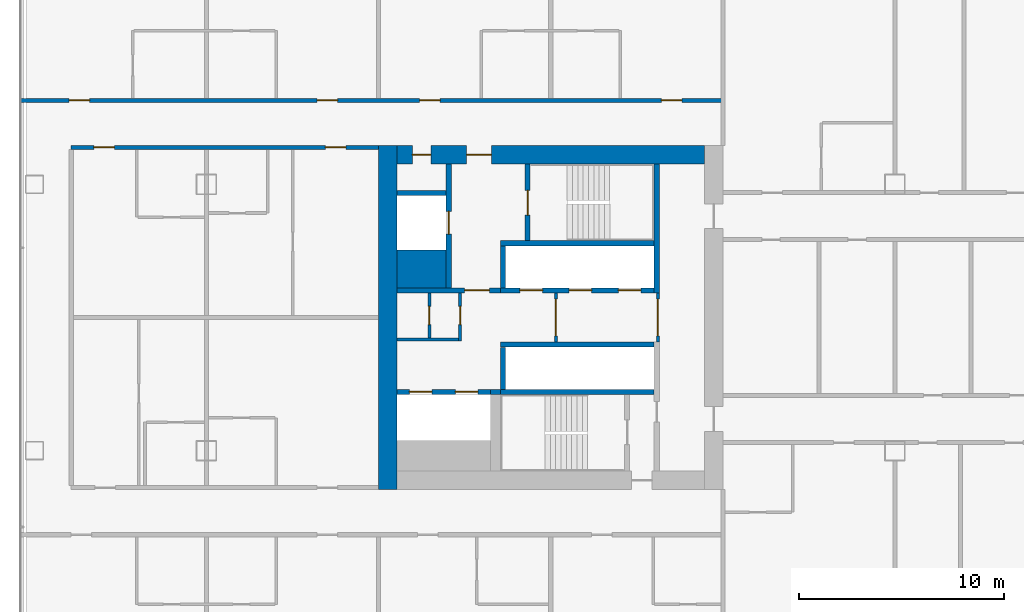
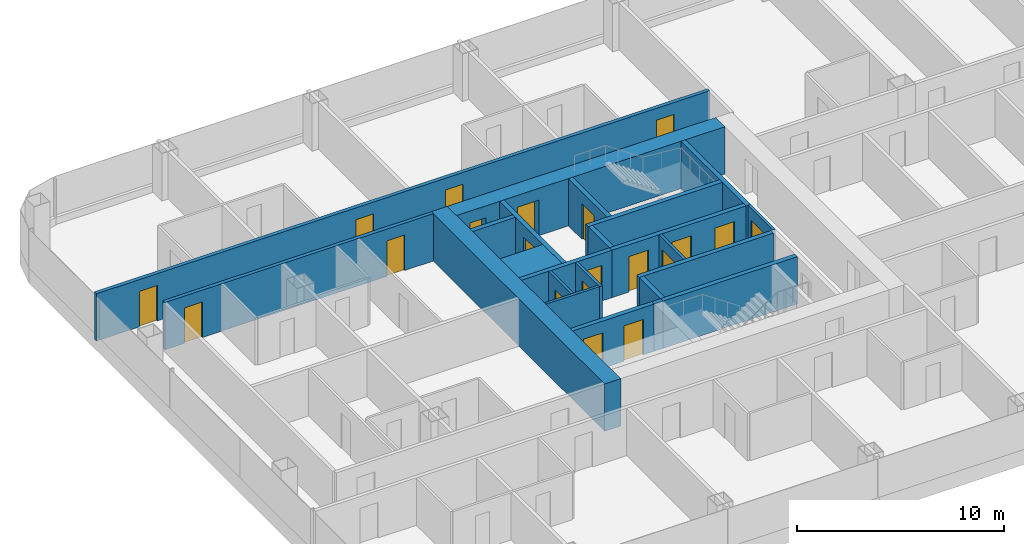
# One storey, part 14 of 28: 23 walls, 20 doors, 20 openings.
"""IFC4 building model written with IfcOpenShell, lengths in metres."""

from ifc_helpers import new_model, si_unit, direction, frame, frame_2d, origin, place, context, subcontext, project, spatial, rectangle, extrude, material, layer, layer_set, type_object, element, fill, save


model = new_model("IFC4")

# Units and contexts
model_context = context("Model", 3, precision=1e-05, world=origin(), true_north=direction((0.0, 1.0)))
body_context = subcontext(model_context, "Body", "Model", "MODEL_VIEW")
ifc_project = project(units=[si_unit("LENGTHUNIT", "METRE"), si_unit("AREAUNIT", "SQUARE_METRE"), si_unit("VOLUMEUNIT", "CUBIC_METRE"), si_unit("PLANEANGLEUNIT", "RADIAN"), si_unit("MASSUNIT", "GRAM", prefix="KILO")], contexts=[model_context])

# Site, building, storey
site_placement = place(None, origin())
site = spatial("IfcSite", under=ifc_project, at=site_placement, CompositionType="ELEMENT")
building_placement = place(site_placement, origin())
building = spatial("IfcBuilding", under=site, at=building_placement, Name="Hakoniwa Tower and Hamabe Station Hall", CompositionType="ELEMENT")
storey_placement = place(building_placement, frame((0.0, 0.0, 35.800048828125)))
storey = spatial("IfcBuildingStorey", under=building, at=storey_placement, Name="L09", CompositionType="ELEMENT", Elevation=35.800048828125)

# Wall, opening, door
ifc_material_1 = material(Name="Gypsum board partition")
ifc_layer_1 = layer(ifc_material_1, 0.14990234375)
ifc_layer_set_1 = layer_set([ifc_layer_1], Name="CORE PARTITION 150 EI 60")
wall_type_1 = type_object("IfcWallType", Name="CORE PARTITION 150 EI 60", PredefinedType="PARTITIONING", material=ifc_layer_set_1)
wall_1_placement = place(storey_placement, frame((-19.97509765625, -1.199951171875, 0.0), z_axis=(0.0, 0.0, 1.0), x_axis=(0.0, 1.0, 0.0)))
wall_1 = element("IfcWall", 1, at=wall_1_placement, inside=storey, type_object=wall_type_1, Name="Core partition PL0 west", PredefinedType="PARTITIONING", context=body_context, shape_type="SweptSolid", body=[
    extrude(rectangle(XDim=2.39990234375, YDim=0.14990234375, at=frame_2d((1.199951171875, 0.0))), origin(), (0.0, 0.0, 1.0), 2.800048828125),
])
opening_1_placement = place(wall_1_placement, frame((0.300048828125, 0.0, 0.0)))
opening_1 = element("IfcOpeningElement", 2, at=opening_1_placement, cuts=wall_1, Name="Opening CD-W-LP0-18", PredefinedType="OPENING", context=body_context, shape_type="SweptSolid", body=[
    extrude(rectangle(XDim=1.800048828125, YDim=2.10009765625, at=frame_2d((0.89990234375, 1.050048828125))), frame((0.0, 0.0849609375, 0.0), z_axis=(0.0, -1.0, 0.0), x_axis=(1.0, 0.0, 0.0)), (0.0, 0.0, 1.0), 0.169921875),
])
ifc_material_2 = material(Name="Steel fire door", Category="steel")
door_type_1 = type_object("IfcDoorType", Name="CORE DOOR 1800 FD60", OperationType="DOUBLE_DOOR_SINGLE_SWING", PredefinedType="DOOR", material=ifc_material_2)
door_1_placement = place(opening_1_placement, origin())
door_1 = element("IfcDoor", 3, at=door_1_placement, inside=storey, type_object=door_type_1, Name="Lift lobby partition door", OperationType="DOUBLE_DOOR_SINGLE_SWING", OverallHeight=2.10009765625, OverallWidth=1.800048828125, PredefinedType="DOOR", context=body_context, shape_type="SweptSolid", body=[
    extrude(rectangle(XDim=1.800048828125, YDim=2.10009765625, at=frame_2d((0.89990234375, 1.050048828125))), frame((0.0, 0.02490234375, 0.0), z_axis=(0.0, -1.0, 0.0), x_axis=(1.0, 0.0, 0.0)), (0.0, 0.0, 1.0), 0.050048828125),
])
fill(opening_1, door_1)

wall_2_placement = place(storey_placement, frame((-24.949951171875, -1.199951171875, 0.0), z_axis=(0.0, 0.0, 1.0), x_axis=(0.0, 1.0, 0.0)))
wall_2 = element("IfcWall", 4, at=wall_2_placement, inside=storey, type_object=wall_type_1, Name="Core partition PL1 west", PredefinedType="PARTITIONING", context=body_context, shape_type="SweptSolid", body=[
    extrude(rectangle(XDim=2.39990234375, YDim=0.14990234375, at=frame_2d((1.199951171875, 0.0))), origin(), (0.0, 0.0, 1.0), 2.800048828125),
])
opening_2_placement = place(wall_2_placement, frame((0.300048828125, 0.0, 0.0)))
opening_2 = element("IfcOpeningElement", 5, at=opening_2_placement, cuts=wall_2, Name="Opening CD-W-LP1-18", PredefinedType="OPENING", context=body_context, shape_type="SweptSolid", body=[
    extrude(rectangle(XDim=1.800048828125, YDim=2.10009765625, at=frame_2d((0.89990234375, 1.050048828125))), frame((0.0, 0.0849609375, 0.0), z_axis=(0.0, -1.0, 0.0), x_axis=(1.0, 0.0, 0.0)), (0.0, 0.0, 1.0), 0.169921875),
])
door_2_placement = place(opening_2_placement, origin())
door_2 = element("IfcDoor", 6, at=door_2_placement, inside=storey, type_object=door_type_1, Name="Lift lobby partition door", OperationType="DOUBLE_DOOR_SINGLE_SWING", OverallHeight=2.10009765625, OverallWidth=1.800048828125, PredefinedType="DOOR", context=body_context, shape_type="SweptSolid", body=[
    extrude(rectangle(XDim=1.800048828125, YDim=2.10009765625, at=frame_2d((0.89990234375, 1.050048828125))), frame((0.0, 0.02490234375, 0.0), z_axis=(0.0, -1.0, 0.0), x_axis=(1.0, 0.0, 0.0)), (0.0, 0.0, 1.0), 0.050048828125),
])
fill(opening_2, door_2)

wall_3_placement = place(storey_placement, frame((-29.625, -1.14990234375, 0.0), z_axis=(0.0, 0.0, 1.0), x_axis=(0.0, 1.0, 0.0)))
wall_3 = element("IfcWall", 7, at=wall_3_placement, inside=storey, type_object=wall_type_1, Name="Core partition PW0 west", PredefinedType="PARTITIONING", context=body_context, shape_type="SweptSolid", body=[
    extrude(rectangle(XDim=2.349853515625, YDim=0.14990234375, at=frame_2d((1.1748046875, 0.0))), origin(), (0.0, 0.0, 1.0), 2.800048828125),
])
opening_3_placement = place(wall_3_placement, frame((0.800048828125, 0.0, 0.0)))
opening_3 = element("IfcOpeningElement", 8, at=opening_3_placement, cuts=wall_3, Name="Opening CD-W-RM1-9", PredefinedType="OPENING", context=body_context, shape_type="SweptSolid", body=[
    extrude(rectangle(XDim=0.89990234375, YDim=2.10009765625, at=frame_2d((0.449951171875, 1.050048828125))), frame((0.0, 0.0849609375, 0.0), z_axis=(0.0, -1.0, 0.0), x_axis=(1.0, 0.0, 0.0)), (0.0, 0.0, 1.0), 0.169921875),
])
ifc_material_3 = material(Name="Steel fire door", Category="steel")
door_type_2 = type_object("IfcDoorType", Name="CORE DOOR 900 FD30", OperationType="NOTDEFINED", PredefinedType="DOOR", material=ifc_material_3)
door_3_placement = place(opening_3_placement, origin())
door_3 = element("IfcDoor", 9, at=door_3_placement, inside=storey, type_object=door_type_2, Name="Store room door", OperationType="SINGLE_SWING_RIGHT", OverallHeight=2.10009765625, OverallWidth=0.89990234375, PredefinedType="DOOR", context=body_context, shape_type="SweptSolid", body=[
    extrude(rectangle(XDim=0.89990234375, YDim=2.10009765625, at=frame_2d((0.449951171875, 1.050048828125))), frame((0.0, 0.02490234375, 0.0), z_axis=(0.0, -1.0, 0.0), x_axis=(1.0, 0.0, 0.0)), (0.0, 0.0, 1.0), 0.050048828125),
])
fill(opening_3, door_3)

# Wall
wall_4_placement = place(storey_placement, frame((-32.699951171875, -1.074951171875, 0.0), z_axis=(0.0, 0.0, 1.0), x_axis=(1.0, 0.0, 0.0)))
element("IfcWall", 10, at=wall_4_placement, inside=storey, type_object=wall_type_1, Name="Core partition PS west", PredefinedType="PARTITIONING", context=body_context, shape_type="SweptSolid", body=[
    extrude(rectangle(XDim=3.0, YDim=0.14990234375, at=frame_2d((1.5, 0.0))), origin(), (0.0, 0.0, 1.0), 2.800048828125),
])

# Wall, opening, door
wall_5_placement = place(storey_placement, frame((-31.125, -1.0, 0.0), z_axis=(0.0, 0.0, 1.0), x_axis=(0.0, 1.0, 0.0)))
wall_5 = element("IfcWall", 11, at=wall_5_placement, inside=storey, type_object=wall_type_1, Name="Core partition PW1 west", PredefinedType="PARTITIONING", context=body_context, shape_type="SweptSolid", body=[
    extrude(rectangle(XDim=2.199951171875, YDim=0.14990234375, at=frame_2d((1.10009765625, 0.0))), origin(), (0.0, 0.0, 1.0), 2.800048828125),
])
opening_4_placement = place(wall_5_placement, frame((0.64990234375, 0.0, 0.0)))
opening_4 = element("IfcOpeningElement", 12, at=opening_4_placement, cuts=wall_5, Name="Opening CD-W-RM2-9", PredefinedType="OPENING", context=body_context, shape_type="SweptSolid", body=[
    extrude(rectangle(XDim=0.89990234375, YDim=2.10009765625, at=frame_2d((0.449951171875, 1.050048828125))), frame((0.0, 0.0849609375, 0.0), z_axis=(0.0, -1.0, 0.0), x_axis=(1.0, 0.0, 0.0)), (0.0, 0.0, 1.0), 0.169921875),
])
door_4_placement = place(opening_4_placement, origin())
door_4 = element("IfcDoor", 13, at=door_4_placement, inside=storey, type_object=door_type_2, Name="Store room door", OperationType="SINGLE_SWING_RIGHT", OverallHeight=2.10009765625, OverallWidth=0.89990234375, PredefinedType="DOOR", context=body_context, shape_type="SweptSolid", body=[
    extrude(rectangle(XDim=0.89990234375, YDim=2.10009765625, at=frame_2d((0.449951171875, 1.050048828125))), frame((0.0, 0.02490234375, 0.0), z_axis=(0.0, -1.0, 0.0), x_axis=(1.0, 0.0, 0.0)), (0.0, 0.0, 1.0), 0.050048828125),
])
fill(opening_4, door_4)

# Wall
ifc_material_4 = material(Name="Concrete C80", Category="concrete")
ifc_layer_2 = layer(ifc_material_4, 0.89990234375)
ifc_layer_set_2 = layer_set([ifc_layer_2], Name="CORE WALL 900 C80")
wall_type_2 = type_object("IfcWallType", Name="CORE WALL 900 C80", PredefinedType="SHEAR", material=ifc_layer_set_2)
wall_6_placement = place(storey_placement, frame((-33.14990234375, -8.39990234375, 0.0), z_axis=(0.0, 0.0, 1.0), x_axis=(0.0, 1.0, 0.0)))
element("IfcWall", 14, at=wall_6_placement, inside=storey, type_object=wall_type_2, Name="Core wall OUTER west", PredefinedType="SHEAR", context=body_context, shape_type="SweptSolid", body=[
    extrude(rectangle(XDim=16.7998046875, YDim=0.89990234375, at=frame_2d((8.39990234375, 0.0))), origin(), (0.0, 0.0, 1.0), 2.800048828125),
])

# Wall, openings, doors
wall_7_placement = place(storey_placement, frame((-32.699951171875, 7.949951171875, 0.0), z_axis=(0.0, 0.0, 1.0), x_axis=(1.0, 0.0, 0.0)))
wall_7 = element("IfcWall", 15, at=wall_7_placement, inside=storey, type_object=wall_type_2, Name="Core wall NORTH west", PredefinedType="SHEAR", context=body_context, shape_type="SweptSolid", body=[
    extrude(rectangle(XDim=15.0, YDim=0.89990234375, at=frame_2d((7.5, 0.0))), origin(), (0.0, 0.0, 1.0), 2.800048828125),
])
opening_5_placement = place(wall_7_placement, frame((3.39990234375, 0.0, 0.0)))
opening_5 = element("IfcOpeningElement", 16, at=opening_5_placement, cuts=wall_7, Name="Opening CD-W-FN1-12", PredefinedType="OPENING", context=body_context, shape_type="SweptSolid", body=[
    extrude(rectangle(XDim=1.199951171875, YDim=2.10009765625, at=frame_2d((0.60009765625, 1.050048828125))), frame((0.0, 0.4599609375, 0.0), z_axis=(0.0, -1.0, 0.0), x_axis=(1.0, 0.0, 0.0)), (0.0, 0.0, 1.0), 0.919921875),
])
opening_6_placement = place(wall_7_placement, frame((0.75, 0.0, 0.0)))
opening_6 = element("IfcOpeningElement", 17, at=opening_6_placement, cuts=wall_7, Name="Opening CD-W-FN2-9", PredefinedType="OPENING", context=body_context, shape_type="SweptSolid", body=[
    extrude(rectangle(XDim=0.89990234375, YDim=2.10009765625, at=frame_2d((0.449951171875, 1.050048828125))), frame((0.0, 0.4599609375, 0.0), z_axis=(0.0, -1.0, 0.0), x_axis=(1.0, 0.0, 0.0)), (0.0, 0.0, 1.0), 0.919921875),
])
ifc_material_5 = material(Name="Steel fire door", Category="steel")
door_type_3 = type_object("IfcDoorType", Name="CORE DOOR 1200 FD60", OperationType="DOUBLE_DOOR_SINGLE_SWING", PredefinedType="DOOR", material=ifc_material_5)
door_5_placement = place(opening_5_placement, origin())
door_5 = element("IfcDoor", 18, at=door_5_placement, inside=storey, type_object=door_type_3, Name="Stair vestibule door to the fire-fighting lobby", OperationType="DOUBLE_DOOR_SINGLE_SWING", OverallHeight=2.10009765625, OverallWidth=1.199951171875, PredefinedType="DOOR", context=body_context, shape_type="SweptSolid", body=[
    extrude(rectangle(XDim=1.199951171875, YDim=2.10009765625, at=frame_2d((0.60009765625, 1.050048828125))), frame((0.0, 0.02490234375, 0.0), z_axis=(0.0, -1.0, 0.0), x_axis=(1.0, 0.0, 0.0)), (0.0, 0.0, 1.0), 0.050048828125),
])
fill(opening_5, door_5)
door_6_placement = place(opening_6_placement, origin())
door_6 = element("IfcDoor", 19, at=door_6_placement, inside=storey, type_object=door_type_2, Name="Riser access door", OperationType="SINGLE_SWING_RIGHT", OverallHeight=2.10009765625, OverallWidth=0.89990234375, PredefinedType="DOOR", context=body_context, shape_type="SweptSolid", body=[
    extrude(rectangle(XDim=0.89990234375, YDim=2.10009765625, at=frame_2d((0.449951171875, 1.050048828125))), frame((0.0, 0.02490234375, 0.0), z_axis=(0.0, -1.0, 0.0), x_axis=(1.0, 0.0, 0.0)), (0.0, 0.0, 1.0), 0.050048828125),
])
fill(opening_6, door_6)

# Walls
ifc_material_6 = material(Name="Concrete C80", Category="concrete")
ifc_layer_3 = layer(ifc_material_6, 1.85009765625)
ifc_layer_set_3 = layer_set([ifc_layer_3], Name="CORE WEB WALL 1850 C80")
wall_type_3 = type_object("IfcWallType", Name="CORE WEB WALL 1850 C80", PredefinedType="SHEAR", material=ifc_layer_set_3)
wall_8_placement = place(storey_placement, frame((-32.699951171875, 2.375, 0.0), z_axis=(0.0, 0.0, 1.0), x_axis=(1.0, 0.0, 0.0)))
element("IfcWall", 20, at=wall_8_placement, inside=storey, type_object=wall_type_3, Name="Core wall CA west", PredefinedType="SHEAR", context=body_context, shape_type="SweptSolid", body=[
    extrude(rectangle(XDim=2.39990234375, YDim=1.85009765625, at=frame_2d((1.199951171875, 0.0))), origin(), (0.0, 0.0, 1.0), 2.800048828125),
])
ifc_material_7 = material(Name="Concrete C80", Category="concrete")
ifc_layer_4 = layer(ifc_material_7, 0.25)
ifc_layer_set_4 = layer_set([ifc_layer_4], Name="CORE WEB WALL 250 C80")
wall_type_4 = type_object("IfcWallType", Name="CORE WEB WALL 250 C80", PredefinedType="SHEAR", material=ifc_layer_set_4)
wall_9_placement = place(storey_placement, frame((-20.02490234375, 1.199951171875, 0.0), z_axis=(0.0, 0.0, 1.0), x_axis=(0.0, 1.0, 0.0)))
element("IfcWall", 21, at=wall_9_placement, inside=storey, type_object=wall_type_4, Name="Core wall W1N west", PredefinedType="SHEAR", context=body_context, shape_type="SweptSolid", body=[
    extrude(rectangle(XDim=6.300048828125, YDim=0.25, at=frame_2d((3.14990234375, 0.0))), origin(), (0.0, 0.0, 1.0), 2.800048828125),
])

# Wall, openings, doors
wall_10_placement = place(storey_placement, frame((-27.64990234375, 1.324951171875, 0.0), z_axis=(0.0, 0.0, 1.0), x_axis=(1.0, 0.0, 0.0)))
wall_10 = element("IfcWall", 22, at=wall_10_placement, inside=storey, type_object=wall_type_4, Name="Core wall NF west", PredefinedType="SHEAR", context=body_context, shape_type="SweptSolid", body=[
    extrude(rectangle(XDim=7.5, YDim=0.25, at=frame_2d((3.75, 0.0))), origin(), (0.0, 0.0, 1.0), 2.800048828125),
])
opening_7_placement = place(wall_10_placement, frame((5.75, 0.0, 0.0)))
opening_7 = element("IfcOpeningElement", 23, at=opening_7_placement, cuts=wall_10, Name="Opening LD-LR1", PredefinedType="OPENING", context=body_context, shape_type="SweptSolid", body=[
    extrude(rectangle(XDim=1.10009765625, YDim=2.10009765625, at=frame_2d((0.550048828125, 1.050048828125))), frame((0.0, 0.135009765625, 0.0), z_axis=(0.0, -1.0, 0.0), x_axis=(1.0, 0.0, 0.0)), (0.0, 0.0, 1.0), 0.27001953125),
])
opening_8_placement = place(wall_10_placement, frame((3.35009765625, 0.0, 0.0)))
opening_8 = element("IfcOpeningElement", 24, at=opening_8_placement, cuts=wall_10, Name="Opening LD-LR2", PredefinedType="OPENING", context=body_context, shape_type="SweptSolid", body=[
    extrude(rectangle(XDim=1.10009765625, YDim=2.10009765625, at=frame_2d((0.550048828125, 1.050048828125))), frame((0.0, 0.135009765625, 0.0), z_axis=(0.0, -1.0, 0.0), x_axis=(1.0, 0.0, 0.0)), (0.0, 0.0, 1.0), 0.27001953125),
])
opening_9_placement = place(wall_10_placement, frame((0.949951171875, 0.0, 0.0)))
opening_9 = element("IfcOpeningElement", 25, at=opening_9_placement, cuts=wall_10, Name="Opening LD-LR3", PredefinedType="OPENING", context=body_context, shape_type="SweptSolid", body=[
    extrude(rectangle(XDim=1.10009765625, YDim=2.10009765625, at=frame_2d((0.550048828125, 1.050048828125))), frame((0.0, 0.135009765625, 0.0), z_axis=(0.0, -1.0, 0.0), x_axis=(1.0, 0.0, 0.0)), (0.0, 0.0, 1.0), 0.27001953125),
])
ifc_material_8 = material(Name="Stainless steel SUS304", Category="steel")
door_type_4 = type_object("IfcDoorType", Name="LIFT LANDING DOOR 1100 FD60", OperationType="DOUBLE_DOOR_SLIDING", PredefinedType="DOOR", material=ifc_material_8)
door_7_placement = place(opening_7_placement, origin())
door_7 = element("IfcDoor", 26, at=door_7_placement, inside=storey, type_object=door_type_4, Name="Lift landing door LR1 L09", OperationType="DOUBLE_DOOR_SLIDING", OverallHeight=2.10009765625, OverallWidth=1.10009765625, PredefinedType="DOOR", context=body_context, shape_type="SweptSolid", body=[
    extrude(rectangle(XDim=1.10009765625, YDim=2.10009765625, at=frame_2d((0.550048828125, 1.050048828125))), frame((0.0, 0.02490234375, 0.0), z_axis=(0.0, -1.0, 0.0), x_axis=(1.0, 0.0, 0.0)), (0.0, 0.0, 1.0), 0.050048828125),
])
fill(opening_7, door_7)
door_8_placement = place(opening_8_placement, origin())
door_8 = element("IfcDoor", 27, at=door_8_placement, inside=storey, type_object=door_type_4, Name="Lift landing door LR2 L09", OperationType="DOUBLE_DOOR_SLIDING", OverallHeight=2.10009765625, OverallWidth=1.10009765625, PredefinedType="DOOR", context=body_context, shape_type="SweptSolid", body=[
    extrude(rectangle(XDim=1.10009765625, YDim=2.10009765625, at=frame_2d((0.550048828125, 1.050048828125))), frame((0.0, 0.02490234375, 0.0), z_axis=(0.0, -1.0, 0.0), x_axis=(1.0, 0.0, 0.0)), (0.0, 0.0, 1.0), 0.050048828125),
])
fill(opening_8, door_8)
door_9_placement = place(opening_9_placement, origin())
door_9 = element("IfcDoor", 28, at=door_9_placement, inside=storey, type_object=door_type_4, Name="Lift landing door LR3 L09", OperationType="DOUBLE_DOOR_SLIDING", OverallHeight=2.10009765625, OverallWidth=1.10009765625, PredefinedType="DOOR", context=body_context, shape_type="SweptSolid", body=[
    extrude(rectangle(XDim=1.10009765625, YDim=2.10009765625, at=frame_2d((0.550048828125, 1.050048828125))), frame((0.0, 0.02490234375, 0.0), z_axis=(0.0, -1.0, 0.0), x_axis=(1.0, 0.0, 0.0)), (0.0, 0.0, 1.0), 0.050048828125),
])
fill(opening_9, door_9)

# Walls
wall_11_placement = place(storey_placement, frame((-27.52490234375, 1.449951171875, 0.0), z_axis=(0.0, 0.0, 1.0), x_axis=(0.0, 1.0, 0.0)))
element("IfcWall", 29, at=wall_11_placement, inside=storey, type_object=wall_type_4, Name="Core wall NE west", PredefinedType="SHEAR", context=body_context, shape_type="SweptSolid", body=[
    extrude(rectangle(XDim=2.050048828125, YDim=0.25, at=frame_2d((1.02490234375, 0.0))), origin(), (0.0, 0.0, 1.0), 2.800048828125),
])
wall_12_placement = place(storey_placement, frame((-27.64990234375, 3.625, 0.0), z_axis=(0.0, 0.0, 1.0), x_axis=(1.0, 0.0, 0.0)))
element("IfcWall", 30, at=wall_12_placement, inside=storey, type_object=wall_type_4, Name="Core wall NR west", PredefinedType="SHEAR", context=body_context, shape_type="SweptSolid", body=[
    extrude(rectangle(XDim=7.5, YDim=0.25, at=frame_2d((3.75, 0.0))), origin(), (0.0, 0.0, 1.0), 2.800048828125),
])

# Wall, opening, door
wall_13_placement = place(storey_placement, frame((-26.324951171875, 3.75, 0.0), z_axis=(0.0, 0.0, 1.0), x_axis=(0.0, 1.0, 0.0)))
wall_13 = element("IfcWall", 31, at=wall_13_placement, inside=storey, type_object=wall_type_4, Name="Core wall NSE west", PredefinedType="SHEAR", context=body_context, shape_type="SweptSolid", body=[
    extrude(rectangle(XDim=3.75, YDim=0.25, at=frame_2d((1.875, 0.0))), origin(), (0.0, 0.0, 1.0), 2.800048828125),
])
opening_10_placement = place(wall_13_placement, frame((1.25, 0.0, 0.0)))
opening_10 = element("IfcOpeningElement", 32, at=opening_10_placement, cuts=wall_13, Name="Opening CD-W-SN-12", PredefinedType="OPENING", context=body_context, shape_type="SweptSolid", body=[
    extrude(rectangle(XDim=1.199951171875, YDim=2.10009765625, at=frame_2d((0.60009765625, 1.050048828125))), frame((0.0, 0.135009765625, 0.0), z_axis=(0.0, -1.0, 0.0), x_axis=(1.0, 0.0, 0.0)), (0.0, 0.0, 1.0), 0.27001953125),
])
door_10_placement = place(opening_10_placement, origin())
door_10 = element("IfcDoor", 33, at=door_10_placement, inside=storey, type_object=door_type_3, Name="Escape stair door", OperationType="DOUBLE_DOOR_SINGLE_SWING", OverallHeight=2.10009765625, OverallWidth=1.199951171875, PredefinedType="DOOR", context=body_context, shape_type="SweptSolid", body=[
    extrude(rectangle(XDim=1.199951171875, YDim=2.10009765625, at=frame_2d((0.60009765625, 1.050048828125))), frame((0.0, 0.02490234375, 0.0), z_axis=(0.0, -1.0, 0.0), x_axis=(1.0, 0.0, 0.0)), (0.0, 0.0, 1.0), 0.050048828125),
])
fill(opening_10, door_10)

wall_14_placement = place(storey_placement, frame((-32.699951171875, 1.324951171875, 0.0), z_axis=(0.0, 0.0, 1.0), x_axis=(1.0, 0.0, 0.0)))
wall_14 = element("IfcWall", 34, at=wall_14_placement, inside=storey, type_object=wall_type_4, Name="Core wall ELN west", PredefinedType="SHEAR", context=body_context, shape_type="SweptSolid", body=[
    extrude(rectangle(XDim=5.050048828125, YDim=0.25, at=frame_2d((2.52490234375, 0.0))), origin(), (0.0, 0.0, 1.0), 2.800048828125),
])
opening_11_placement = place(wall_14_placement, frame((3.300048828125, 0.0, 0.0)))
opening_11 = element("IfcOpeningElement", 35, at=opening_11_placement, cuts=wall_14, Name="Opening CD-W-FL-12", PredefinedType="OPENING", context=body_context, shape_type="SweptSolid", body=[
    extrude(rectangle(XDim=1.199951171875, YDim=2.10009765625, at=frame_2d((0.60009765625, 1.050048828125))), frame((0.0, 0.135009765625, 0.0), z_axis=(0.0, -1.0, 0.0), x_axis=(1.0, 0.0, 0.0)), (0.0, 0.0, 1.0), 0.27001953125),
])
door_11_placement = place(opening_11_placement, origin())
door_11 = element("IfcDoor", 36, at=door_11_placement, inside=storey, type_object=door_type_3, Name="Stair vestibule door to the fire-fighting lobby", OperationType="DOUBLE_DOOR_SINGLE_SWING", OverallHeight=2.10009765625, OverallWidth=1.199951171875, PredefinedType="DOOR", context=body_context, shape_type="SweptSolid", body=[
    extrude(rectangle(XDim=1.199951171875, YDim=2.10009765625, at=frame_2d((0.60009765625, 1.050048828125))), frame((0.0, 0.02490234375, 0.0), z_axis=(0.0, -1.0, 0.0), x_axis=(1.0, 0.0, 0.0)), (0.0, 0.0, 1.0), 0.050048828125),
])
fill(opening_11, door_11)

wall_15_placement = place(storey_placement, frame((-30.175048828125, 1.449951171875, 0.0), z_axis=(0.0, 0.0, 1.0), x_axis=(0.0, 1.0, 0.0)))
wall_15 = element("IfcWall", 37, at=wall_15_placement, inside=storey, type_object=wall_type_4, Name="Core wall FFF west", PredefinedType="SHEAR", context=body_context, shape_type="SweptSolid", body=[
    extrude(rectangle(XDim=6.050048828125, YDim=0.25, at=frame_2d((3.02490234375, 0.0))), origin(), (0.0, 0.0, 1.0), 2.800048828125),
])
opening_12_placement = place(wall_15_placement, frame((2.625, 0.0, 0.0)))
opening_12 = element("IfcOpeningElement", 38, at=opening_12_placement, cuts=wall_15, Name="Opening LD-FF1", PredefinedType="OPENING", context=body_context, shape_type="SweptSolid", body=[
    extrude(rectangle(XDim=1.10009765625, YDim=2.10009765625, at=frame_2d((0.550048828125, 1.050048828125))), frame((0.0, 0.135009765625, 0.0), z_axis=(0.0, -1.0, 0.0), x_axis=(1.0, 0.0, 0.0)), (0.0, 0.0, 1.0), 0.27001953125),
])
door_12_placement = place(opening_12_placement, origin())
door_12 = element("IfcDoor", 39, at=door_12_placement, inside=storey, type_object=door_type_4, Name="Lift landing door FF1 L09", OperationType="DOUBLE_DOOR_SLIDING", OverallHeight=2.10009765625, OverallWidth=1.10009765625, PredefinedType="DOOR", context=body_context, shape_type="SweptSolid", body=[
    extrude(rectangle(XDim=1.10009765625, YDim=2.10009765625, at=frame_2d((0.550048828125, 1.050048828125))), frame((0.0, 0.02490234375, 0.0), z_axis=(0.0, -1.0, 0.0), x_axis=(1.0, 0.0, 0.0)), (0.0, 0.0, 1.0), 0.050048828125),
])
fill(opening_12, door_12)

# Walls
wall_16_placement = place(storey_placement, frame((-32.699951171875, 6.074951171875, 0.0), z_axis=(0.0, 0.0, 1.0), x_axis=(1.0, 0.0, 0.0)))
element("IfcWall", 40, at=wall_16_placement, inside=storey, type_object=wall_type_4, Name="Core wall C2 west", PredefinedType="SHEAR", context=body_context, shape_type="SweptSolid", body=[
    extrude(rectangle(XDim=2.39990234375, YDim=0.25, at=frame_2d((1.199951171875, 0.0))), origin(), (0.0, 0.0, 1.0), 2.800048828125),
])
wall_17_placement = place(storey_placement, frame((-27.64990234375, -1.324951171875, 0.0), z_axis=(0.0, 0.0, 1.0), x_axis=(1.0, 0.0, 0.0)))
element("IfcWall", 41, at=wall_17_placement, inside=storey, type_object=wall_type_4, Name="Core wall SF west", PredefinedType="SHEAR", context=body_context, shape_type="SweptSolid", body=[
    extrude(rectangle(XDim=7.5, YDim=0.25, at=frame_2d((3.75, 0.0))), origin(), (0.0, 0.0, 1.0), 2.800048828125),
])
wall_18_placement = place(storey_placement, frame((-27.52490234375, -3.5, 0.0), z_axis=(0.0, 0.0, 1.0), x_axis=(0.0, 1.0, 0.0)))
element("IfcWall", 42, at=wall_18_placement, inside=storey, type_object=wall_type_4, Name="Core wall SE west", PredefinedType="SHEAR", context=body_context, shape_type="SweptSolid", body=[
    extrude(rectangle(XDim=2.050048828125, YDim=0.25, at=frame_2d((1.02490234375, 0.0))), origin(), (0.0, 0.0, 1.0), 2.800048828125),
])
wall_19_placement = place(storey_placement, frame((-27.64990234375, -3.625, 0.0), z_axis=(0.0, 0.0, 1.0), x_axis=(1.0, 0.0, 0.0)))
element("IfcWall", 43, at=wall_19_placement, inside=storey, type_object=wall_type_4, Name="Core wall SR west", PredefinedType="SHEAR", context=body_context, shape_type="SweptSolid", body=[
    extrude(rectangle(XDim=7.5, YDim=0.25, at=frame_2d((3.75, 0.0))), origin(), (0.0, 0.0, 1.0), 2.800048828125),
])

# Wall, openings, doors
wall_20_placement = place(storey_placement, frame((-32.699951171875, -3.625, 0.0), z_axis=(0.0, 0.0, 1.0), x_axis=(1.0, 0.0, 0.0)))
wall_20 = element("IfcWall", 44, at=wall_20_placement, inside=storey, type_object=wall_type_4, Name="Core wall SEF west", PredefinedType="SHEAR", context=body_context, shape_type="SweptSolid", body=[
    extrude(rectangle(XDim=4.550048828125, YDim=0.25, at=frame_2d((2.27490234375, 0.0))), origin(), (0.0, 0.0, 1.0), 2.800048828125),
])
opening_13_placement = place(wall_20_placement, frame((2.85009765625, 0.0, 0.0)))
opening_13 = element("IfcOpeningElement", 45, at=opening_13_placement, cuts=wall_20, Name="Opening LD-SV1", PredefinedType="OPENING", context=body_context, shape_type="SweptSolid", body=[
    extrude(rectangle(XDim=1.10009765625, YDim=2.10009765625, at=frame_2d((0.550048828125, 1.050048828125))), frame((0.0, 0.135009765625, 0.0), z_axis=(0.0, -1.0, 0.0), x_axis=(1.0, 0.0, 0.0)), (0.0, 0.0, 1.0), 0.27001953125),
])
opening_14_placement = place(wall_20_placement, frame((0.60009765625, 0.0, 0.0)))
opening_14 = element("IfcOpeningElement", 46, at=opening_14_placement, cuts=wall_20, Name="Opening LD-SV2", PredefinedType="OPENING", context=body_context, shape_type="SweptSolid", body=[
    extrude(rectangle(XDim=1.10009765625, YDim=2.10009765625, at=frame_2d((0.550048828125, 1.050048828125))), frame((0.0, 0.135009765625, 0.0), z_axis=(0.0, -1.0, 0.0), x_axis=(1.0, 0.0, 0.0)), (0.0, 0.0, 1.0), 0.27001953125),
])
door_13_placement = place(opening_13_placement, origin())
door_13 = element("IfcDoor", 47, at=door_13_placement, inside=storey, type_object=door_type_4, Name="Lift landing door SV1 L09", OperationType="DOUBLE_DOOR_SLIDING", OverallHeight=2.10009765625, OverallWidth=1.10009765625, PredefinedType="DOOR", context=body_context, shape_type="SweptSolid", body=[
    extrude(rectangle(XDim=1.10009765625, YDim=2.10009765625, at=frame_2d((0.550048828125, 1.050048828125))), frame((0.0, 0.02490234375, 0.0), z_axis=(0.0, -1.0, 0.0), x_axis=(1.0, 0.0, 0.0)), (0.0, 0.0, 1.0), 0.050048828125),
])
fill(opening_13, door_13)
door_14_placement = place(opening_14_placement, origin())
door_14 = element("IfcDoor", 48, at=door_14_placement, inside=storey, type_object=door_type_4, Name="Lift landing door SV2 L09", OperationType="DOUBLE_DOOR_SLIDING", OverallHeight=2.10009765625, OverallWidth=1.10009765625, PredefinedType="DOOR", context=body_context, shape_type="SweptSolid", body=[
    extrude(rectangle(XDim=1.10009765625, YDim=2.10009765625, at=frame_2d((0.550048828125, 1.050048828125))), frame((0.0, 0.02490234375, 0.0), z_axis=(0.0, -1.0, 0.0), x_axis=(1.0, 0.0, 0.0)), (0.0, 0.0, 1.0), 0.050048828125),
])
fill(opening_14, door_14)

# Wall
wall_21_placement = place(storey_placement, frame((-28.14990234375, -3.625, 0.0), z_axis=(0.0, 0.0, 1.0), x_axis=(1.0, 0.0, 0.0)))
element("IfcWall", 49, at=wall_21_placement, inside=storey, type_object=wall_type_4, Name="Core wall SRK west", PredefinedType="SHEAR", context=body_context, shape_type="SweptSolid", body=[
    extrude(rectangle(XDim=0.5, YDim=0.25, at=frame_2d((0.25, 0.0))), origin(), (0.0, 0.0, 1.0), 2.800048828125),
])

# Wall, openings, doors
ifc_material_9 = material(Name="Fire-rated gypsum board partition", Category="gypsum")
ifc_layer_5 = layer(ifc_material_9, 0.199951171875)
ifc_layer_set_5 = layer_set([ifc_layer_5], Name="Corridor Wall 200")
wall_type_5 = type_object("IfcWallType", Name="Corridor Wall 200", PredefinedType="PARTITIONING", material=ifc_layer_set_5)
wall_22_placement = place(storey_placement, frame((-48.60009765625, 8.300048828125, 0.0), z_axis=(0.0, 0.0, 1.0), x_axis=(1.0, 0.0, 0.0)))
wall_22 = element("IfcWall", 50, at=wall_22_placement, inside=storey, type_object=wall_type_5, Name="GW-L09-028", PredefinedType="PARTITIONING", context=body_context, shape_type="SweptSolid", body=[
    extrude(rectangle(XDim=15.0, YDim=0.199951171875, at=frame_2d((7.5, 0.0))), origin(), (0.0, 0.0, 1.0), 2.800048828125),
])
opening_15_placement = place(wall_22_placement, frame((1.10009765625, 0.0, 0.0)))
opening_15 = element("IfcOpeningElement", 51, at=opening_15_placement, cuts=wall_22, Name="Opening GD-G1A1-50", PredefinedType="OPENING", context=body_context, shape_type="SweptSolid", body=[
    extrude(rectangle(XDim=1.0, YDim=2.10009765625, at=frame_2d((0.5, 1.050048828125))), frame((0.0, 0.10986328125, 0.0), z_axis=(0.0, -1.0, 0.0), x_axis=(1.0, 0.0, 0.0)), (0.0, 0.0, 1.0), 0.219970703125),
])
opening_16_placement = place(wall_22_placement, frame((12.39990234375, 0.0, 0.0)))
opening_16 = element("IfcOpeningElement", 52, at=opening_16_placement, cuts=wall_22, Name="Opening GD-G1A1-51", PredefinedType="OPENING", context=body_context, shape_type="SweptSolid", body=[
    extrude(rectangle(XDim=1.0, YDim=2.10009765625, at=frame_2d((0.5, 1.050048828125))), frame((0.0, 0.10986328125, 0.0), z_axis=(0.0, -1.0, 0.0), x_axis=(1.0, 0.0, 0.0)), (0.0, 0.0, 1.0), 0.219970703125),
])
ifc_material_10 = material(Name="Timber door leaf", Category="wood")
door_type_5 = type_object("IfcDoorType", Name="Guest Entrance Door 1000", OperationType="SINGLE_SWING_LEFT", PredefinedType="DOOR", material=ifc_material_10)
door_15_placement = place(opening_15_placement, origin())
door_15 = element("IfcDoor", 53, at=door_15_placement, inside=storey, type_object=door_type_5, Name="Door GD-G1A1-50", OperationType="SINGLE_SWING_RIGHT", OverallHeight=2.10009765625, OverallWidth=1.0, PredefinedType="DOOR", context=body_context, shape_type="SweptSolid", body=[
    extrude(rectangle(XDim=1.0, YDim=2.10009765625, at=frame_2d((0.5, 1.050048828125))), frame((0.0, 0.02490234375, 0.0), z_axis=(0.0, -1.0, 0.0), x_axis=(1.0, 0.0, 0.0)), (0.0, 0.0, 1.0), 0.050048828125),
])
fill(opening_15, door_15)
door_16_placement = place(opening_16_placement, origin())
door_16 = element("IfcDoor", 54, at=door_16_placement, inside=storey, type_object=door_type_5, Name="Door GD-G1A1-51", OperationType="SINGLE_SWING_RIGHT", OverallHeight=2.10009765625, OverallWidth=1.0, PredefinedType="DOOR", context=body_context, shape_type="SweptSolid", body=[
    extrude(rectangle(XDim=1.0, YDim=2.10009765625, at=frame_2d((0.5, 1.050048828125))), frame((0.0, 0.02490234375, 0.0), z_axis=(0.0, -1.0, 0.0), x_axis=(1.0, 0.0, 0.0)), (0.0, 0.0, 1.0), 0.050048828125),
])
fill(opening_16, door_16)

wall_23_placement = place(storey_placement, frame((-51.10009765625, 10.60009765625, 0.0), z_axis=(0.0, 0.0, 1.0), x_axis=(1.0, 0.0, 0.0)))
wall_23 = element("IfcWall", 55, at=wall_23_placement, inside=storey, type_object=wall_type_5, Name="GW-L09-032", PredefinedType="PARTITIONING", context=body_context, shape_type="SweptSolid", body=[
    extrude(rectangle(XDim=34.300048828125, YDim=0.199951171875, at=frame_2d((17.14990234375, 0.0))), origin(), (0.0, 0.0, 1.0), 2.800048828125),
])
opening_17_placement = place(wall_23_placement, frame((2.39990234375, 0.0, 0.0)))
opening_17 = element("IfcOpeningElement", 56, at=opening_17_placement, cuts=wall_23, Name="Opening GD-G1A1-55", PredefinedType="OPENING", context=body_context, shape_type="SweptSolid", body=[
    extrude(rectangle(XDim=1.0, YDim=2.10009765625, at=frame_2d((0.5, 1.050048828125))), frame((0.0, 0.10986328125, 0.0), z_axis=(0.0, -1.0, 0.0), x_axis=(1.0, 0.0, 0.0)), (0.0, 0.0, 1.0), 0.219970703125),
])
opening_18_placement = place(wall_23_placement, frame((14.5, 0.0, 0.0)))
opening_18 = element("IfcOpeningElement", 57, at=opening_18_placement, cuts=wall_23, Name="Opening GD-G1A1-56", PredefinedType="OPENING", context=body_context, shape_type="SweptSolid", body=[
    extrude(rectangle(XDim=1.0, YDim=2.10009765625, at=frame_2d((0.5, 1.050048828125))), frame((0.0, 0.10986328125, 0.0), z_axis=(0.0, -1.0, 0.0), x_axis=(1.0, 0.0, 0.0)), (0.0, 0.0, 1.0), 0.219970703125),
])
opening_19_placement = place(wall_23_placement, frame((19.5, 0.0, 0.0)))
opening_19 = element("IfcOpeningElement", 58, at=opening_19_placement, cuts=wall_23, Name="Opening GD-G1A1-57", PredefinedType="OPENING", context=body_context, shape_type="SweptSolid", body=[
    extrude(rectangle(XDim=1.0, YDim=2.10009765625, at=frame_2d((0.5, 1.050048828125))), frame((0.0, 0.10986328125, 0.0), z_axis=(0.0, -1.0, 0.0), x_axis=(1.0, 0.0, 0.0)), (0.0, 0.0, 1.0), 0.219970703125),
])
opening_20_placement = place(wall_23_placement, frame((31.300048828125, 0.0, 0.0)))
opening_20 = element("IfcOpeningElement", 59, at=opening_20_placement, cuts=wall_23, Name="Opening GD-G1A1-58", PredefinedType="OPENING", context=body_context, shape_type="SweptSolid", body=[
    extrude(rectangle(XDim=1.0, YDim=2.10009765625, at=frame_2d((0.5, 1.050048828125))), frame((0.0, 0.10986328125, 0.0), z_axis=(0.0, -1.0, 0.0), x_axis=(1.0, 0.0, 0.0)), (0.0, 0.0, 1.0), 0.219970703125),
])
ifc_material_11 = material(Name="Timber door leaf", Category="wood")
door_type_6 = type_object("IfcDoorType", Name="Accessible Guest Entrance Door 1000", OperationType="SINGLE_SWING_LEFT", PredefinedType="DOOR", material=ifc_material_11)
door_17_placement = place(opening_17_placement, origin())
door_17 = element("IfcDoor", 60, at=door_17_placement, inside=storey, type_object=door_type_6, Name="Door GD-G1A1-55", OperationType="SINGLE_SWING_RIGHT", OverallHeight=2.10009765625, OverallWidth=1.0, PredefinedType="DOOR", context=body_context, shape_type="SweptSolid", body=[
    extrude(rectangle(XDim=1.0, YDim=2.10009765625, at=frame_2d((0.5, 1.050048828125))), frame((0.0, 0.02490234375, 0.0), z_axis=(0.0, -1.0, 0.0), x_axis=(1.0, 0.0, 0.0)), (0.0, 0.0, 1.0), 0.050048828125),
])
fill(opening_17, door_17)
door_18_placement = place(opening_18_placement, origin())
door_18 = element("IfcDoor", 61, at=door_18_placement, inside=storey, type_object=door_type_5, Name="Door GD-G1A1-56", OperationType="SINGLE_SWING_LEFT", OverallHeight=2.10009765625, OverallWidth=1.0, PredefinedType="DOOR", context=body_context, shape_type="SweptSolid", body=[
    extrude(rectangle(XDim=1.0, YDim=2.10009765625, at=frame_2d((0.5, 1.050048828125))), frame((0.0, 0.02490234375, 0.0), z_axis=(0.0, -1.0, 0.0), x_axis=(1.0, 0.0, 0.0)), (0.0, 0.0, 1.0), 0.050048828125),
])
fill(opening_18, door_18)
door_19_placement = place(opening_19_placement, origin())
door_19 = element("IfcDoor", 62, at=door_19_placement, inside=storey, type_object=door_type_5, Name="Door GD-G1A1-57", OperationType="SINGLE_SWING_RIGHT", OverallHeight=2.10009765625, OverallWidth=1.0, PredefinedType="DOOR", context=body_context, shape_type="SweptSolid", body=[
    extrude(rectangle(XDim=1.0, YDim=2.10009765625, at=frame_2d((0.5, 1.050048828125))), frame((0.0, 0.02490234375, 0.0), z_axis=(0.0, -1.0, 0.0), x_axis=(1.0, 0.0, 0.0)), (0.0, 0.0, 1.0), 0.050048828125),
])
fill(opening_19, door_19)
door_20_placement = place(opening_20_placement, origin())
door_20 = element("IfcDoor", 63, at=door_20_placement, inside=storey, type_object=door_type_5, Name="Door GD-G1A1-58", OperationType="SINGLE_SWING_LEFT", OverallHeight=2.10009765625, OverallWidth=1.0, PredefinedType="DOOR", context=body_context, shape_type="SweptSolid", body=[
    extrude(rectangle(XDim=1.0, YDim=2.10009765625, at=frame_2d((0.5, 1.050048828125))), frame((0.0, 0.02490234375, 0.0), z_axis=(0.0, -1.0, 0.0), x_axis=(1.0, 0.0, 0.0)), (0.0, 0.0, 1.0), 0.050048828125),
])
fill(opening_20, door_20)

save(model, "model.ifc")
